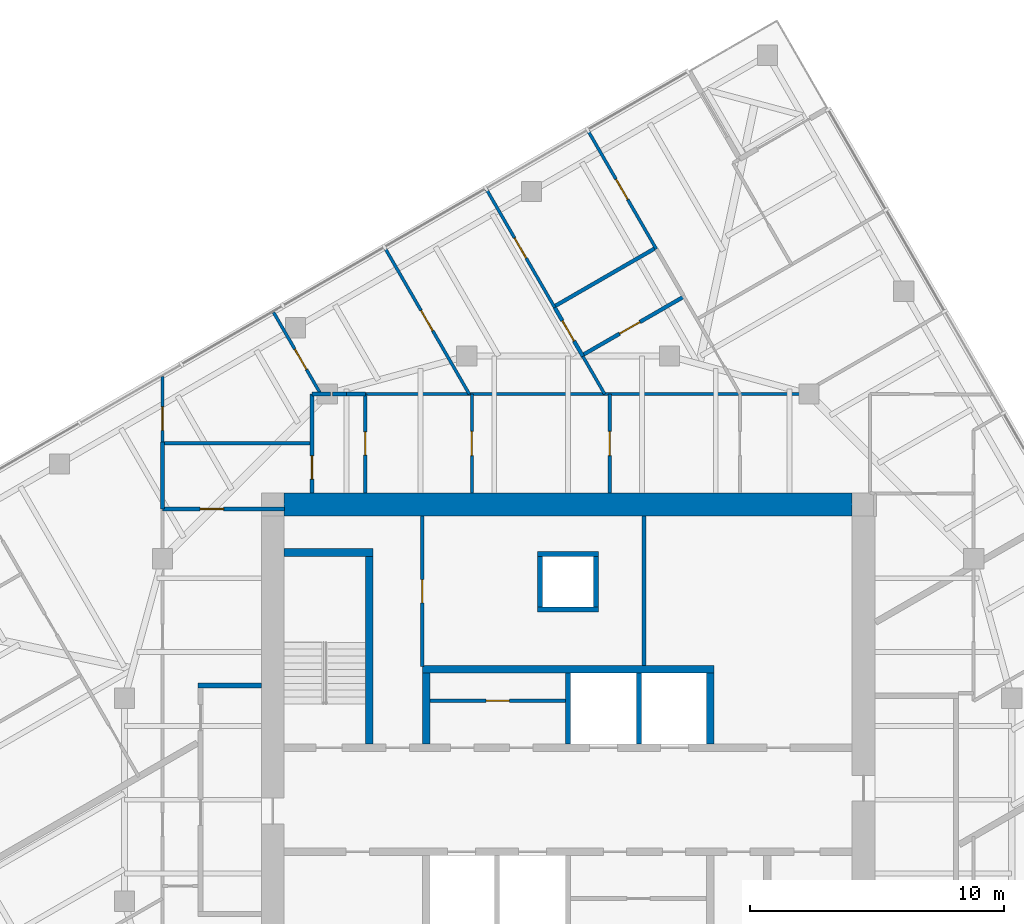
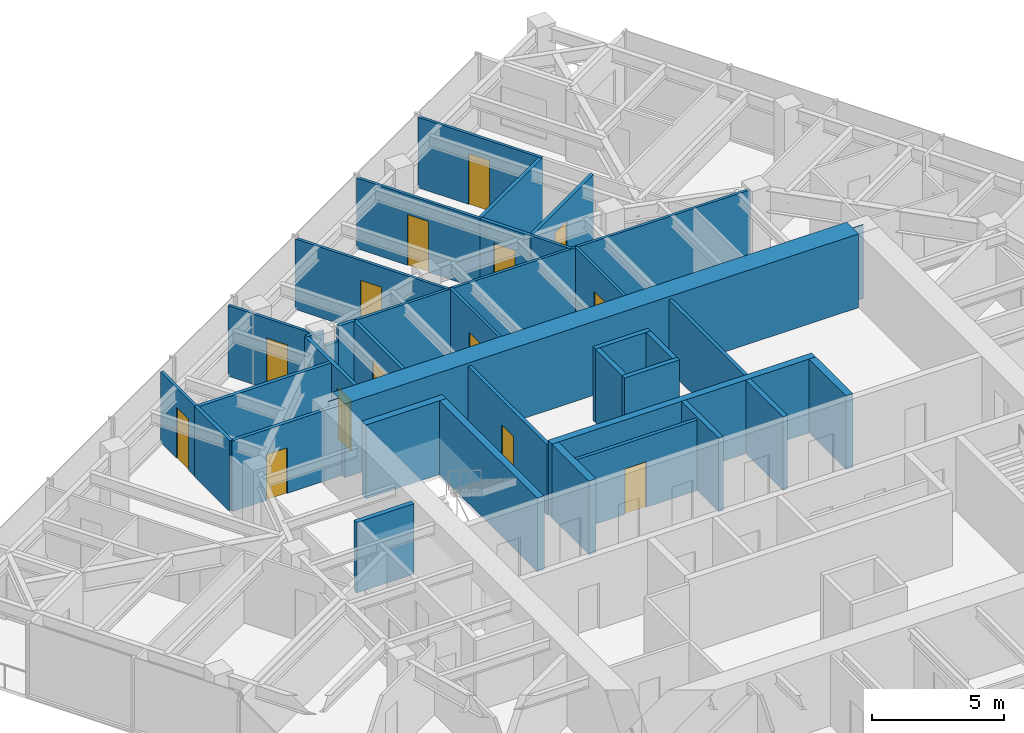
# One storey, part 10 of 12: 36 walls, 14 doors, 14 openings.
"""IFC4 building model written with IfcOpenShell, lengths in metres."""

from ifc_helpers import new_model, si_unit, direction, frame, frame_2d, origin, place, context, subcontext, project, spatial, polyline, rectangle, outline, extrude, material, layer, layer_set, type_object, element, fill, save


model = new_model("IFC4")

# Units and contexts
model_context = context("Model", 3, precision=1e-05, world=origin(), true_north=direction((0.0, 1.0)))
body_context = subcontext(model_context, "Body", "Model", "MODEL_VIEW")
ifc_project = project(units=[si_unit("LENGTHUNIT", "METRE"), si_unit("AREAUNIT", "SQUARE_METRE"), si_unit("VOLUMEUNIT", "CUBIC_METRE"), si_unit("PLANEANGLEUNIT", "RADIAN"), si_unit("MASSUNIT", "GRAM", prefix="KILO")], contexts=[model_context])

# Site, building, storey
site_placement = place(None, origin())
site = spatial("IfcSite", under=ifc_project, at=site_placement, CompositionType="ELEMENT")
building_placement = place(site_placement, origin())
building = spatial("IfcBuilding", under=site, at=building_placement, Name="Torsade Residences", CompositionType="ELEMENT")
storey_placement = place(building_placement, frame((0.0, 0.0, 218.39990234375)))
storey = spatial("IfcBuildingStorey", under=building, at=storey_placement, Name="L60", CompositionType="ELEMENT", Elevation=218.39990234375)

# Walls
ifc_material_1 = material(Name="Concrete 80 MPa", Category="concrete")
ifc_layer_1 = layer(ifc_material_1, 0.300048828125)
ifc_layer_set_1 = layer_set([ifc_layer_1], Name="Concrete 80 MPa")
wall_type_1 = type_object("IfcWallType", Name="CORE INTERNAL WALL 300", PredefinedType="SHEAR", material=ifc_layer_set_1)
wall_1_placement = place(storey_placement, frame((34.25, 35.14990234375, 0.0), z_axis=(0.0, 0.0, 1.0), x_axis=(1.0, 0.0, 0.0)))
element("IfcWall", 1, at=wall_1_placement, inside=storey, type_object=wall_type_1, Name="Core wall BN L60", PredefinedType="SHEAR", context=body_context, shape_type="SweptSolid", body=[
    extrude(rectangle(XDim=11.5, YDim=0.300048828125, at=frame_2d((5.75, 0.0))), origin(), (0.0, 0.0, 1.0), 3.400146484375),
])
for number, where, z_axis, x_axis, name in (
    (2, (34.39990234375, 32.199951171875, 0.0), (0.0, 0.0, 1.0), (0.0, 1.0, 0.0), "Core wall DN0 L60"),
    (3, (45.60009765625, 32.199951171875, 0.0), (0.0, 0.0, 1.0), (0.0, 1.0, 0.0), "Core wall DN4 L60"),
):
    element("IfcWall", number, at=place(storey_placement, frame(where, z_axis=z_axis, x_axis=x_axis)), inside=storey, type_object=wall_type_1, Name=name, PredefinedType="SHEAR", context=body_context, shape_type="SweptSolid", body=[
        extrude(rectangle(XDim=2.800048828125, YDim=0.300048828125, at=frame_2d((1.39990234375, 0.0))), origin(), (0.0, 0.0, 1.0), 3.400146484375),
    ])
wall_2_placement = place(storey_placement, frame((32.14990234375, 32.199951171875, 0.0), z_axis=(0.0, 0.0, 1.0), x_axis=(0.0, 1.0, 0.0)))
element("IfcWall", 4, at=wall_2_placement, inside=storey, type_object=wall_type_1, Name="Core wall ST1E L60", PredefinedType="SHEAR", context=body_context, shape_type="SweptSolid", body=[
    extrude(rectangle(XDim=7.699951171875, YDim=0.300048828125, at=frame_2d((3.85009765625, 0.0))), origin(), (0.0, 0.0, 1.0), 3.400146484375),
])
wall_3_placement = place(storey_placement, frame((28.800048828125, 39.75, 0.0), z_axis=(0.0, 0.0, 1.0), x_axis=(1.0, 0.0, 0.0)))
element("IfcWall", 5, at=wall_3_placement, inside=storey, type_object=wall_type_1, Name="Core wall ST1N L60", PredefinedType="SHEAR", context=body_context, shape_type="SweptSolid", body=[
    extrude(rectangle(XDim=3.5, YDim=0.300048828125, at=frame_2d((1.75, 0.0))), origin(), (0.0, 0.0, 1.0), 3.400146484375),
])
ifc_material_2 = material(Name="Concrete 80 MPa", Category="concrete")
ifc_layer_2 = layer(ifc_material_2, 0.89990234375)
ifc_layer_set_2 = layer_set([ifc_layer_2], Name="Concrete 80 MPa")
wall_type_2 = type_object("IfcWallType", Name="CORE WALL 900", PredefinedType="SHEAR", material=ifc_layer_set_2)
wall_4_placement = place(storey_placement, frame((28.800048828125, 41.64990234375, 0.0), z_axis=(0.0, 0.0, 1.0), x_axis=(1.0, 0.0, 0.0)))
element("IfcWall", 6, at=wall_4_placement, inside=storey, type_object=wall_type_2, Name="Core wall N L60", PredefinedType="SHEAR", context=body_context, shape_type="SweptSolid", body=[
    extrude(outline(polyline([(0.0, -0.449951171875), (22.39990234375, -0.449951171875), (22.39990234375, -0.02490234375), (22.849853515625, -0.02490234375), (22.849853515625, 0.02490234375), (22.39990234375, 0.02490234375), (22.39990234375, 0.449951171875), (0.0, 0.449951171875), (0.0, 0.02490234375), (-0.449951171875, 0.02490234375), (-0.449951171875, -0.02490234375), (0.0, -0.02490234375), (0.0, -0.449951171875)])), origin(), (0.0, 0.0, 1.0), 3.400146484375),
])
ifc_material_3 = material(Name="Plasterboard on steel stud", Category="steel")
ifc_layer_3 = layer(ifc_material_3, 0.199951171875)
ifc_layer_set_3 = layer_set([ifc_layer_3], Name="Plasterboard on steel stud")
wall_type_3 = type_object("IfcWallType", Name="CORRIDOR WALL 200", PredefinedType="PARTITIONING", material=ifc_layer_set_3)
wall_5_placement = place(storey_placement, frame((27.89990234375, 34.5, 0.0), z_axis=(0.0, 0.0, 1.0), x_axis=(-1.0, 0.0, 0.0)))
element("IfcWall", 7, at=wall_5_placement, inside=storey, type_object=wall_type_3, Name="Corridor wall L60", PredefinedType="PARTITIONING", context=body_context, shape_type="SweptSolid", body=[
    extrude(rectangle(XDim=2.5, YDim=0.199951171875, at=frame_2d((1.25, 0.0))), origin(), (0.0, 0.0, 1.0), 3.25),
])
ifc_material_4 = material(Name="Reinforced blockwork", Category="masonry")
ifc_layer_4 = layer(ifc_material_4, 0.199951171875)
ifc_layer_set_4 = layer_set([ifc_layer_4], Name="Reinforced blockwork")
wall_type_4 = type_object("IfcWallType", Name="LIFT SHAFT DIVIDING WALL 200", PredefinedType="SOLIDWALL", material=ifc_layer_set_4)
for number, where, z_axis, x_axis, name in (
    (8, (40.0, 32.199951171875, 0.0), (0.0, 0.0, 1.0), (0.0, 1.0, 0.0), "Core wall DN2 L60"),
    (9, (42.800048828125, 32.199951171875, 0.0), (0.0, 0.0, 1.0), (0.0, 1.0, 0.0), "Core wall DN3 L60"),
):
    element("IfcWall", number, at=place(storey_placement, frame(where, z_axis=z_axis, x_axis=x_axis)), inside=storey, type_object=wall_type_4, Name=name, PredefinedType="SOLIDWALL", context=body_context, shape_type="SweptSolid", body=[
        extrude(rectangle(XDim=2.800048828125, YDim=0.199951171875, at=frame_2d((1.39990234375, 0.0))), origin(), (0.0, 0.0, 1.0), 3.400146484375),
    ])

# Wall, opening, door
ifc_material_5 = material(Name="Plasterboard on steel stud", Category="steel")
ifc_layer_5 = layer(ifc_material_5, 0.1201171875)
ifc_layer_set_5 = layer_set([ifc_layer_5], Name="Plasterboard on steel stud")
wall_type_5 = type_object("IfcWallType", Name="PARTITION 120", PredefinedType="PARTITIONING", material=ifc_layer_set_5)
wall_6_placement = place(storey_placement, frame((24.000244140625, 44.114501953125, 0.0), z_axis=(0.0, 0.0, 1.0), x_axis=(0.003773202081, 0.999992881448, 0.0)))
wall_6 = element("IfcWall", 10, at=wall_6_placement, inside=storey, type_object=wall_type_5, Name="Partition L60", PredefinedType="PARTITIONING", context=body_context, shape_type="SweptSolid", body=[
    extrude(rectangle(XDim=2.588134765625, YDim=0.1201171875, at=frame_2d((1.2939453125, 0.0))), origin(), (0.0, 0.0, 1.0), 3.25),
])
opening_1_placement = place(wall_6_placement, frame((0.457763671875, 0.0, 0.0)))
opening_1 = element("IfcOpeningElement", 11, at=opening_1_placement, cuts=wall_6, Name="Opening D02", PredefinedType="OPENING", context=body_context, shape_type="SweptSolid", body=[
    extrude(rectangle(XDim=0.919921875, YDim=2.340087890625, at=frame_2d((0.4599609375, 1.169921875))), frame((0.0, 0.070068359375, 0.0), z_axis=(0.0, -1.0, 0.0), x_axis=(1.0, 0.0, 0.0)), (0.0, 0.0, 1.0), 0.14013671875),
])
ifc_material_6 = material(Name="Hollow-core timber door", Category="wood")
door_type_1 = type_object("IfcDoorType", Name="INTERNAL DOOR 920x2340", OperationType="NOTDEFINED", PredefinedType="DOOR", material=ifc_material_6)
door_1_placement = place(opening_1_placement, origin())
door_1 = element("IfcDoor", 12, at=door_1_placement, inside=storey, type_object=door_type_1, Name="Door Living room to Scullery", OperationType="SINGLE_SWING_LEFT", OverallHeight=2.340087890625, OverallWidth=0.919921875, PredefinedType="DOOR", context=body_context, shape_type="SweptSolid", body=[
    extrude(rectangle(XDim=0.919921875, YDim=2.340087890625, at=frame_2d((0.4599609375, 1.169921875))), frame((0.0, 0.02490234375, 0.0), z_axis=(0.0, -1.0, 0.0), x_axis=(1.0, 0.0, 0.0)), (0.0, 0.0, 1.0), 0.050048828125),
])
fill(opening_1, door_1)

wall_7_placement = place(storey_placement, frame((28.38037109375, 49.225830078125, 0.0), z_axis=(0.0, 0.0, 1.0), x_axis=(0.499973989716, -0.866040420308, 0.0)))
wall_7 = element("IfcWall", 13, at=wall_7_placement, inside=storey, type_object=wall_type_5, Name="Partition L60", PredefinedType="PARTITIONING", context=body_context, shape_type="SweptSolid", body=[
    extrude(rectangle(XDim=3.724853515625, YDim=0.1201171875, at=frame_2d((1.8623046875, 0.0))), origin(), (0.0, 0.0, 1.0), 3.25),
])
opening_2_placement = place(wall_7_placement, frame((1.682373046875, 0.0, 0.0)))
opening_2 = element("IfcOpeningElement", 14, at=opening_2_placement, cuts=wall_7, Name="Opening D02", PredefinedType="OPENING", context=body_context, shape_type="SweptSolid", body=[
    extrude(rectangle(XDim=0.919921875, YDim=2.340087890625, at=frame_2d((0.4599609375, 1.169921875))), frame((0.0, 0.070068359375, 0.0), z_axis=(0.0, -1.0, 0.0), x_axis=(1.0, 0.0, 0.0)), (0.0, 0.0, 1.0), 0.14013671875),
])
door_2_placement = place(opening_2_placement, origin())
door_2 = element("IfcDoor", 15, at=door_2_placement, inside=storey, type_object=door_type_1, Name="Door Scullery to Media room", OperationType="SINGLE_SWING_LEFT", OverallHeight=2.340087890625, OverallWidth=0.919921875, PredefinedType="DOOR", context=body_context, shape_type="SweptSolid", body=[
    extrude(rectangle(XDim=0.919921875, YDim=2.340087890625, at=frame_2d((0.4599609375, 1.169921875))), frame((0.0, 0.02490234375, 0.0), z_axis=(0.0, -1.0, 0.0), x_axis=(1.0, 0.0, 0.0)), (0.0, 0.0, 1.0), 0.050048828125),
])
fill(opening_2, door_2)

wall_8_placement = place(storey_placement, frame((36.204345703125, 46.0, 0.0), z_axis=(0.0, 0.0, 1.0), x_axis=(0.0, -1.0, 0.0)))
wall_8 = element("IfcWall", 16, at=wall_8_placement, inside=storey, type_object=wall_type_5, Name="Partition L60", PredefinedType="PARTITIONING", context=body_context, shape_type="SweptSolid", body=[
    extrude(rectangle(XDim=3.89990234375, YDim=0.1201171875, at=frame_2d((1.949951171875, 0.0))), origin(), (0.0, 0.0, 1.0), 3.25),
])
opening_3_placement = place(wall_8_placement, frame((1.469970703125, 0.0, 0.0)))
opening_3 = element("IfcOpeningElement", 17, at=opening_3_placement, cuts=wall_8, Name="Opening D05", PredefinedType="OPENING", context=body_context, shape_type="SweptSolid", body=[
    extrude(rectangle(XDim=0.9599609375, YDim=2.10009765625, at=frame_2d((0.47998046875, 1.050048828125))), frame((0.0, 0.070068359375, 0.0), z_axis=(0.0, -1.0, 0.0), x_axis=(1.0, 0.0, 0.0)), (0.0, 0.0, 1.0), 0.14013671875),
])
ifc_material_7 = material(Name="Hollow-core timber door in a steel cavity frame", Category="steel")
door_type_2 = type_object("IfcDoorType", Name="BATHROOM CAVITY SLIDING DOOR 960", OperationType="SLIDING_TO_LEFT", PredefinedType="DOOR", material=ifc_material_7)
door_3_placement = place(opening_3_placement, origin())
door_3 = element("IfcDoor", 18, at=door_3_placement, inside=storey, type_object=door_type_2, Name="Door Pantry to Laundry", OperationType="SLIDING_TO_LEFT", OverallHeight=2.10009765625, OverallWidth=0.9599609375, PredefinedType="DOOR", context=body_context, shape_type="SweptSolid", body=[
    extrude(rectangle(XDim=0.9599609375, YDim=2.10009765625, at=frame_2d((0.47998046875, 1.050048828125))), frame((0.0, 0.02490234375, 0.0), z_axis=(0.0, -1.0, 0.0), x_axis=(1.0, 0.0, 0.0)), (0.0, 0.0, 1.0), 0.050048828125),
])
fill(opening_3, door_3)

# Wall
wall_9_placement = place(storey_placement, frame((31.99951171875, 46.0, 0.0), z_axis=(0.0, 0.0, 1.0), x_axis=(1.0, 0.0, 0.0)))
element("IfcWall", 19, at=wall_9_placement, inside=storey, type_object=wall_type_5, Name="Partition L60", PredefinedType="PARTITIONING", context=body_context, shape_type="SweptSolid", body=[
    extrude(rectangle(XDim=17.21337890625, YDim=0.1201171875, at=frame_2d((8.606689453125, 0.0))), origin(), (0.0, 0.0, 1.0), 3.25),
])

# Wall, opening, door
wall_10_placement = place(storey_placement, frame((41.6435546875, 42.10009765625, 0.0), z_axis=(0.0, 0.0, 1.0), x_axis=(0.0, 1.0, 0.0)))
wall_10 = element("IfcWall", 20, at=wall_10_placement, inside=storey, type_object=wall_type_5, Name="Partition L60", PredefinedType="PARTITIONING", context=body_context, shape_type="SweptSolid", body=[
    extrude(rectangle(XDim=3.89990234375, YDim=0.1201171875, at=frame_2d((1.949951171875, 0.0))), origin(), (0.0, 0.0, 1.0), 3.25),
])
opening_4_placement = place(wall_10_placement, frame((1.469970703125, 0.0, 0.0)))
opening_4 = element("IfcOpeningElement", 21, at=opening_4_placement, cuts=wall_10, Name="Opening D05", PredefinedType="OPENING", context=body_context, shape_type="SweptSolid", body=[
    extrude(rectangle(XDim=0.9599609375, YDim=2.10009765625, at=frame_2d((0.47998046875, 1.050048828125))), frame((0.0, 0.070068359375, 0.0), z_axis=(0.0, -1.0, 0.0), x_axis=(1.0, 0.0, 0.0)), (0.0, 0.0, 1.0), 0.14013671875),
])
door_4_placement = place(opening_4_placement, origin())
door_4 = element("IfcDoor", 22, at=door_4_placement, inside=storey, type_object=door_type_2, Name="Door Laundry to Ensuite", OperationType="SLIDING_TO_LEFT", OverallHeight=2.10009765625, OverallWidth=0.9599609375, PredefinedType="DOOR", context=body_context, shape_type="SweptSolid", body=[
    extrude(rectangle(XDim=0.9599609375, YDim=2.10009765625, at=frame_2d((0.47998046875, 1.050048828125))), frame((0.0, 0.02490234375, 0.0), z_axis=(0.0, -1.0, 0.0), x_axis=(1.0, 0.0, 0.0)), (0.0, 0.0, 1.0), 0.050048828125),
])
fill(opening_4, door_4)

wall_11_placement = place(storey_placement, frame((43.47998046875, 51.722412109375, 0.0), z_axis=(0.0, 0.0, 1.0), x_axis=(-0.499989180974, 0.866031650062, 0.0)))
wall_11 = element("IfcWall", 23, at=wall_11_placement, inside=storey, type_object=wall_type_5, Name="Partition L60", PredefinedType="PARTITIONING", context=body_context, shape_type="SweptSolid", body=[
    extrude(rectangle(XDim=5.3876953125, YDim=0.1201171875, at=frame_2d((2.69384765625, 0.0))), origin(), (0.0, 0.0, 1.0), 3.25),
])
opening_5_placement = place(wall_11_placement, frame((2.25390625, 0.0, 0.0)))
opening_5 = element("IfcOpeningElement", 24, at=opening_5_placement, cuts=wall_11, Name="Opening D02", PredefinedType="OPENING", context=body_context, shape_type="SweptSolid", body=[
    extrude(rectangle(XDim=0.919921875, YDim=2.340087890625, at=frame_2d((0.4599609375, 1.169921875))), frame((0.0, 0.070068359375, 0.0), z_axis=(0.0, -1.0, 0.0), x_axis=(1.0, 0.0, 0.0)), (0.0, 0.0, 1.0), 0.14013671875),
])
door_5_placement = place(opening_5_placement, origin())
door_5 = element("IfcDoor", 25, at=door_5_placement, inside=storey, type_object=door_type_1, Name="Door Family room to Bedroom 2", OperationType="SINGLE_SWING_LEFT", OverallHeight=2.340087890625, OverallWidth=0.919921875, PredefinedType="DOOR", context=body_context, shape_type="SweptSolid", body=[
    extrude(rectangle(XDim=0.919921875, YDim=2.340087890625, at=frame_2d((0.4599609375, 1.169921875))), frame((0.0, 0.02490234375, 0.0), z_axis=(0.0, -1.0, 0.0), x_axis=(1.0, 0.0, 0.0)), (0.0, 0.0, 1.0), 0.050048828125),
])
fill(opening_5, door_5)

wall_12_placement = place(storey_placement, frame((36.78076171875, 54.075927734375, 0.0), z_axis=(0.0, 0.0, 1.0), x_axis=(0.499989180974, -0.866031650062, 0.0)))
wall_12 = element("IfcWall", 26, at=wall_12_placement, inside=storey, type_object=wall_type_5, Name="Partition L60", PredefinedType="PARTITIONING", context=body_context, shape_type="SweptSolid", body=[
    extrude(rectangle(XDim=5.3876953125, YDim=0.1201171875, at=frame_2d((2.69384765625, 0.0))), origin(), (0.0, 0.0, 1.0), 3.25),
])
opening_6_placement = place(wall_12_placement, frame((2.214111328125, 0.0, 0.0)))
opening_6 = element("IfcOpeningElement", 27, at=opening_6_placement, cuts=wall_12, Name="Opening D02", PredefinedType="OPENING", context=body_context, shape_type="SweptSolid", body=[
    extrude(rectangle(XDim=0.919921875, YDim=2.340087890625, at=frame_2d((0.4599609375, 1.169921875))), frame((0.0, 0.070068359375, 0.0), z_axis=(0.0, -1.0, 0.0), x_axis=(1.0, 0.0, 0.0)), (0.0, 0.0, 1.0), 0.14013671875),
])
door_6_placement = place(opening_6_placement, origin())
door_6 = element("IfcDoor", 28, at=door_6_placement, inside=storey, type_object=door_type_1, Name="Door Study to Family room", OperationType="SINGLE_SWING_RIGHT", OverallHeight=2.340087890625, OverallWidth=0.919921875, PredefinedType="DOOR", context=body_context, shape_type="SweptSolid", body=[
    extrude(rectangle(XDim=0.919921875, YDim=2.340087890625, at=frame_2d((0.4599609375, 1.169921875))), frame((0.0, 0.02490234375, 0.0), z_axis=(0.0, -1.0, 0.0), x_axis=(1.0, 0.0, 0.0)), (0.0, 0.0, 1.0), 0.050048828125),
])
fill(opening_6, door_6)

wall_13_placement = place(storey_placement, frame((36.10302734375, 46.0, 0.0), z_axis=(0.0, 0.0, 1.0), x_axis=(-0.500013541994, 0.866017585169, 0.0)))
wall_13 = element("IfcWall", 29, at=wall_13_placement, inside=storey, type_object=wall_type_5, Name="Partition L60", PredefinedType="PARTITIONING", context=body_context, shape_type="SweptSolid", body=[
    extrude(rectangle(XDim=6.655029296875, YDim=0.1201171875, at=frame_2d((3.32763671875, 0.0))), origin(), (0.0, 0.0, 1.0), 3.25),
])
opening_7_placement = place(wall_13_placement, frame((2.887451171875, 0.0, 0.0)))
opening_7 = element("IfcOpeningElement", 30, at=opening_7_placement, cuts=wall_13, Name="Opening D02", PredefinedType="OPENING", context=body_context, shape_type="SweptSolid", body=[
    extrude(rectangle(XDim=0.919921875, YDim=2.340087890625, at=frame_2d((0.4599609375, 1.169921875))), frame((0.0, 0.070068359375, 0.0), z_axis=(0.0, -1.0, 0.0), x_axis=(1.0, 0.0, 0.0)), (0.0, 0.0, 1.0), 0.14013671875),
])
door_7_placement = place(opening_7_placement, origin())
door_7 = element("IfcDoor", 31, at=door_7_placement, inside=storey, type_object=door_type_1, Name="Door Media room to Study", OperationType="SINGLE_SWING_LEFT", OverallHeight=2.340087890625, OverallWidth=0.919921875, PredefinedType="DOOR", context=body_context, shape_type="SweptSolid", body=[
    extrude(rectangle(XDim=0.919921875, YDim=2.340087890625, at=frame_2d((0.4599609375, 1.169921875))), frame((0.0, 0.02490234375, 0.0), z_axis=(0.0, -1.0, 0.0), x_axis=(1.0, 0.0, 0.0)), (0.0, 0.0, 1.0), 0.050048828125),
])
fill(opening_7, door_7)

# Walls
wall_14_placement = place(storey_placement, frame((40.584228515625, 47.488037109375, 0.0), z_axis=(0.0, 0.0, 1.0), x_axis=(0.500005339912, -0.866022320763, 0.0)))
element("IfcWall", 32, at=wall_14_placement, inside=storey, type_object=wall_type_5, Name="Partition L60", PredefinedType="PARTITIONING", context=body_context, shape_type="SweptSolid", body=[
    extrude(rectangle(XDim=1.71826171875, YDim=0.1201171875, at=frame_2d((0.859130859375, 0.0))), origin(), (0.0, 0.0, 1.0), 3.25),
])
ifc_material_8 = material(Name="Reinforced blockwork", Category="masonry")
ifc_layer_6 = layer(ifc_material_8, 0.199951171875)
ifc_layer_set_6 = layer_set([ifc_layer_6], Name="Reinforced blockwork")
wall_type_6 = type_object("IfcWallType", Name="RISER SHAFT WALL 200", PredefinedType="SOLIDWALL", material=ifc_layer_set_6)
for number, where, z_axis, x_axis, name in (
    (33, (38.89990234375, 37.60009765625, 0.0), (0.0, 0.0, 1.0), (0.0, 1.0, 0.0), "Core wall RS1a L60"),
    (34, (41.10009765625, 37.60009765625, 0.0), (0.0, 0.0, 1.0), (0.0, 1.0, 0.0), "Core wall RS1b L60"),
):
    element("IfcWall", number, at=place(storey_placement, frame(where, z_axis=z_axis, x_axis=x_axis)), inside=storey, type_object=wall_type_6, Name=name, PredefinedType="SOLIDWALL", context=body_context, shape_type="SweptSolid", body=[
        extrude(rectangle(XDim=2.0, YDim=0.199951171875, at=frame_2d((1.0, 0.0))), origin(), (0.0, 0.0, 1.0), 3.400146484375),
    ])
for number, where, z_axis, x_axis, name in (
    (35, (38.800048828125, 37.5, 0.0), (0.0, 0.0, 1.0), (1.0, 0.0, 0.0), "Core wall RS1c L60"),
    (36, (38.800048828125, 39.699951171875, 0.0), (0.0, 0.0, 1.0), (1.0, 0.0, 0.0), "Core wall RS1d L60"),
):
    element("IfcWall", number, at=place(storey_placement, frame(where, z_axis=z_axis, x_axis=x_axis)), inside=storey, type_object=wall_type_6, Name=name, PredefinedType="SOLIDWALL", context=body_context, shape_type="SweptSolid", body=[
        extrude(rectangle(XDim=2.39990234375, YDim=0.199951171875, at=frame_2d((1.199951171875, 0.0))), origin(), (0.0, 0.0, 1.0), 3.400146484375),
    ])

# Wall, opening, door
ifc_material_9 = material(Name="Reinforced blockwork", Category="masonry")
ifc_layer_7 = layer(ifc_material_9, 0.14990234375)
ifc_layer_set_7 = layer_set([ifc_layer_7], Name="Reinforced blockwork")
wall_type_7 = type_object("IfcWallType", Name="SERVICE ROOM WALL 150", PredefinedType="SOLIDWALL", material=ifc_layer_set_7)
wall_15_placement = place(storey_placement, frame((34.25, 41.199951171875, 0.0), z_axis=(0.0, 0.0, 1.0), x_axis=(0.0, -1.0, 0.0)))
wall_15 = element("IfcWall", 37, at=wall_15_placement, inside=storey, type_object=wall_type_7, Name="Service room wall L60", PredefinedType="SOLIDWALL", context=body_context, shape_type="SweptSolid", body=[
    extrude(rectangle(XDim=5.949951171875, YDim=0.14990234375, at=frame_2d((2.97509765625, 0.0))), origin(), (0.0, 0.0, 1.0), 3.25),
])
opening_8_placement = place(wall_15_placement, frame((2.514892578125, 0.0, 0.0)))
opening_8 = element("IfcOpeningElement", 38, at=opening_8_placement, cuts=wall_15, Name="Opening D06", PredefinedType="OPENING", context=body_context, shape_type="SweptSolid", body=[
    extrude(rectangle(XDim=0.919921875, YDim=2.10009765625, at=frame_2d((0.4599609375, 1.050048828125))), frame((0.0, 0.0849609375, 0.0), z_axis=(0.0, -1.0, 0.0), x_axis=(1.0, 0.0, 0.0)), (0.0, 0.0, 1.0), 0.169921875),
])
ifc_material_10 = material(Name="Steel-framed fire door", Category="steel")
door_type_3 = type_object("IfcDoorType", Name="FIRE DOOR 920", OperationType="NOTDEFINED", PredefinedType="DOOR", material=ifc_material_10)
door_8_placement = place(opening_8_placement, origin())
door_8 = element("IfcDoor", 39, at=door_8_placement, inside=storey, type_object=door_type_3, Name="Door Meter store to Electrical riser room", OperationType="SINGLE_SWING_LEFT", OverallHeight=2.10009765625, OverallWidth=0.919921875, PredefinedType="DOOR", context=body_context, shape_type="SweptSolid", body=[
    extrude(rectangle(XDim=0.919921875, YDim=2.10009765625, at=frame_2d((0.4599609375, 1.050048828125))), frame((0.0, 0.02490234375, 0.0), z_axis=(0.0, -1.0, 0.0), x_axis=(1.0, 0.0, 0.0)), (0.0, 0.0, 1.0), 0.050048828125),
])
fill(opening_8, door_8)

# Wall
wall_16_placement = place(storey_placement, frame((43.0, 41.199951171875, 0.0), z_axis=(0.0, 0.0, 1.0), x_axis=(0.0, -1.0, 0.0)))
element("IfcWall", 40, at=wall_16_placement, inside=storey, type_object=wall_type_7, Name="Service room wall L60", PredefinedType="SOLIDWALL", context=body_context, shape_type="SweptSolid", body=[
    extrude(rectangle(XDim=5.89990234375, YDim=0.14990234375, at=frame_2d((2.949951171875, 0.0))), origin(), (0.0, 0.0, 1.0), 3.25),
])

# Wall, opening, door
wall_17_placement = place(storey_placement, frame((24.0, 41.466552734375, 0.0), z_axis=(0.0, 0.0, 1.0), x_axis=(1.0, 0.0, 0.0)))
wall_17 = element("IfcWall", 41, at=wall_17_placement, inside=storey, type_object=wall_type_7, Name="Service room wall L60", PredefinedType="SOLIDWALL", context=body_context, shape_type="SweptSolid", body=[
    extrude(rectangle(XDim=4.820068359375, YDim=0.14990234375, at=frame_2d((2.41015625, 0.0))), origin(), (0.0, 0.0, 1.0), 3.25),
])
opening_9_placement = place(wall_17_placement, frame((1.489990234375, 0.0, 0.0)))
opening_9 = element("IfcOpeningElement", 42, at=opening_9_placement, cuts=wall_17, Name="Opening D02L", PredefinedType="OPENING", context=body_context, shape_type="SweptSolid", body=[
    extrude(rectangle(XDim=0.919921875, YDim=2.10009765625, at=frame_2d((0.4599609375, 1.050048828125))), frame((0.0, 0.0849609375, 0.0), z_axis=(0.0, -1.0, 0.0), x_axis=(1.0, 0.0, 0.0)), (0.0, 0.0, 1.0), 0.169921875),
])
ifc_material_11 = material(Name="Hollow-core timber door", Category="wood")
door_type_4 = type_object("IfcDoorType", Name="INTERNAL DOOR 920x2100", OperationType="NOTDEFINED", PredefinedType="DOOR", material=ifc_material_11)
door_9_placement = place(opening_9_placement, origin())
door_9 = element("IfcDoor", 43, at=door_9_placement, inside=storey, type_object=door_type_4, Name="Door Kitchen and dining to Linen store 3", OperationType="SINGLE_SWING_LEFT", OverallHeight=2.10009765625, OverallWidth=0.919921875, PredefinedType="DOOR", context=body_context, shape_type="SweptSolid", body=[
    extrude(rectangle(XDim=0.919921875, YDim=2.10009765625, at=frame_2d((0.4599609375, 1.050048828125))), frame((0.0, 0.02490234375, 0.0), z_axis=(0.0, -1.0, 0.0), x_axis=(1.0, 0.0, 0.0)), (0.0, 0.0, 1.0), 0.050048828125),
])
fill(opening_9, door_9)

# Wall
wall_18_placement = place(storey_placement, frame((30.632568359375, 46.0, 0.0), z_axis=(0.0, 0.0, 1.0), x_axis=(-1.0, 0.0, 0.0)))
element("IfcWall", 44, at=wall_18_placement, inside=storey, type_object=wall_type_7, Name="Service room wall L60", PredefinedType="SOLIDWALL", context=body_context, shape_type="SweptSolid", body=[
    extrude(rectangle(XDim=0.7353515625, YDim=0.14990234375, at=frame_2d((0.36767578125, 0.0))), origin(), (0.0, 0.0, 1.0), 3.25),
])

# Wall, opening, door
wall_19_placement = place(storey_placement, frame((29.897216796875, 46.0, 0.0), z_axis=(0.0, 0.0, 1.0), x_axis=(0.0, -1.0, 0.0)))
wall_19 = element("IfcWall", 45, at=wall_19_placement, inside=storey, type_object=wall_type_7, Name="Service room wall L60", PredefinedType="SOLIDWALL", context=body_context, shape_type="SweptSolid", body=[
    extrude(rectangle(XDim=3.89990234375, YDim=0.14990234375, at=frame_2d((1.949951171875, 0.0))), origin(), (0.0, 0.0, 1.0), 3.25),
])
opening_10_placement = place(wall_19_placement, frame((2.4326171875, 0.0, 0.0)))
opening_10 = element("IfcOpeningElement", 46, at=opening_10_placement, cuts=wall_19, Name="Opening D02", PredefinedType="OPENING", context=body_context, shape_type="SweptSolid", body=[
    extrude(rectangle(XDim=0.919921875, YDim=2.340087890625, at=frame_2d((0.4599609375, 1.169921875))), frame((0.0, 0.0849609375, 0.0), z_axis=(0.0, -1.0, 0.0), x_axis=(1.0, 0.0, 0.0)), (0.0, 0.0, 1.0), 0.169921875),
])
door_10_placement = place(opening_10_placement, origin())
door_10 = element("IfcDoor", 47, at=door_10_placement, inside=storey, type_object=door_type_1, Name="Door Linen store 3 to Linen store 2", OperationType="SINGLE_SWING_RIGHT", OverallHeight=2.340087890625, OverallWidth=0.919921875, PredefinedType="DOOR", context=body_context, shape_type="SweptSolid", body=[
    extrude(rectangle(XDim=0.919921875, YDim=2.340087890625, at=frame_2d((0.4599609375, 1.169921875))), frame((0.0, 0.02490234375, 0.0), z_axis=(0.0, -1.0, 0.0), x_axis=(1.0, 0.0, 0.0)), (0.0, 0.0, 1.0), 0.050048828125),
])
fill(opening_10, door_10)

# Wall
wall_20_placement = place(storey_placement, frame((29.897216796875, 44.064697265625, 0.0), z_axis=(0.0, 0.0, 1.0), x_axis=(-1.0, 0.0, 0.0)))
element("IfcWall", 48, at=wall_20_placement, inside=storey, type_object=wall_type_7, Name="Service room wall L60", PredefinedType="SOLIDWALL", context=body_context, shape_type="SweptSolid", body=[
    extrude(rectangle(XDim=5.897216796875, YDim=0.14990234375, at=frame_2d((2.94873046875, 0.0))), origin(), (0.0, 0.0, 1.0), 3.25),
])

# Wall, opening, door
wall_21_placement = place(storey_placement, frame((31.99951171875, 42.10009765625, 0.0), z_axis=(0.0, 0.0, 1.0), x_axis=(0.0, 1.0, 0.0)))
wall_21 = element("IfcWall", 49, at=wall_21_placement, inside=storey, type_object=wall_type_7, Name="Service room wall L60", PredefinedType="SOLIDWALL", context=body_context, shape_type="SweptSolid", body=[
    extrude(rectangle(XDim=3.89990234375, YDim=0.14990234375, at=frame_2d((1.949951171875, 0.0))), origin(), (0.0, 0.0, 1.0), 3.25),
])
opening_11_placement = place(wall_21_placement, frame((1.489990234375, 0.0, 0.0)))
opening_11 = element("IfcOpeningElement", 50, at=opening_11_placement, cuts=wall_21, Name="Opening D02", PredefinedType="OPENING", context=body_context, shape_type="SweptSolid", body=[
    extrude(rectangle(XDim=0.919921875, YDim=2.340087890625, at=frame_2d((0.4599609375, 1.169921875))), frame((0.0, 0.0849609375, 0.0), z_axis=(0.0, -1.0, 0.0), x_axis=(1.0, 0.0, 0.0)), (0.0, 0.0, 1.0), 0.169921875),
])
door_11_placement = place(opening_11_placement, origin())
door_11 = element("IfcDoor", 51, at=door_11_placement, inside=storey, type_object=door_type_1, Name="Door Linen store 2 to Pantry", OperationType="SINGLE_SWING_RIGHT", OverallHeight=2.340087890625, OverallWidth=0.919921875, PredefinedType="DOOR", context=body_context, shape_type="SweptSolid", body=[
    extrude(rectangle(XDim=0.919921875, YDim=2.340087890625, at=frame_2d((0.4599609375, 1.169921875))), frame((0.0, 0.02490234375, 0.0), z_axis=(0.0, -1.0, 0.0), x_axis=(1.0, 0.0, 0.0)), (0.0, 0.0, 1.0), 0.050048828125),
])
fill(opening_11, door_11)

# Wall
wall_22_placement = place(storey_placement, frame((24.0, 44.114501953125, 0.0), z_axis=(0.0, 0.0, 1.0), x_axis=(0.0, -1.0, 0.0)))
element("IfcWall", 52, at=wall_22_placement, inside=storey, type_object=wall_type_7, Name="Service room wall L60", PredefinedType="SOLIDWALL", context=body_context, shape_type="SweptSolid", body=[
    extrude(rectangle(XDim=2.64794921875, YDim=0.14990234375, at=frame_2d((1.323974609375, 0.0))), origin(), (0.0, 0.0, 1.0), 3.25),
])

# Wall, opening, door
wall_23_placement = place(storey_placement, frame((39.474609375, 49.409912109375, 0.0), z_axis=(0.0, 0.0, 1.0), x_axis=(0.500008142102, -0.866020702889, 0.0)))
wall_23 = element("IfcWall", 53, at=wall_23_placement, inside=storey, type_object=wall_type_7, Name="Service room wall L60", PredefinedType="SOLIDWALL", context=body_context, shape_type="SweptSolid", body=[
    extrude(rectangle(XDim=2.21923828125, YDim=0.14990234375, at=frame_2d((1.109619140625, 0.0))), origin(), (0.0, 0.0, 1.0), 3.25),
])
opening_12_placement = place(wall_23_placement, frame((0.599609375, 0.0, 0.0)))
opening_12 = element("IfcOpeningElement", 54, at=opening_12_placement, cuts=wall_23, Name="Opening D02", PredefinedType="OPENING", context=body_context, shape_type="SweptSolid", body=[
    extrude(rectangle(XDim=0.919921875, YDim=2.340087890625, at=frame_2d((0.4599609375, 1.169921875))), frame((0.0, 0.0849609375, 0.0), z_axis=(0.0, -1.0, 0.0), x_axis=(1.0, 0.0, 0.0)), (0.0, 0.0, 1.0), 0.169921875),
])
door_12_placement = place(opening_12_placement, origin())
door_12 = element("IfcDoor", 55, at=door_12_placement, inside=storey, type_object=door_type_1, Name="Door Study to Linen store", OperationType="SINGLE_SWING_LEFT", OverallHeight=2.340087890625, OverallWidth=0.919921875, PredefinedType="DOOR", context=body_context, shape_type="SweptSolid", body=[
    extrude(rectangle(XDim=0.919921875, YDim=2.340087890625, at=frame_2d((0.4599609375, 1.169921875))), frame((0.0, 0.02490234375, 0.0), z_axis=(0.0, -1.0, 0.0), x_axis=(1.0, 0.0, 0.0)), (0.0, 0.0, 1.0), 0.050048828125),
])
fill(opening_12, door_12)

# Walls
wall_24_placement = place(storey_placement, frame((43.455078125, 51.765625, 0.0), z_axis=(0.0, 0.0, 1.0), x_axis=(-0.866025598446, -0.499999662836, 0.0)))
element("IfcWall", 56, at=wall_24_placement, inside=storey, type_object=wall_type_7, Name="Service room wall L60", PredefinedType="SOLIDWALL", context=body_context, shape_type="SweptSolid", body=[
    extrude(rectangle(XDim=4.625, YDim=0.14990234375, at=frame_2d((2.3125, 0.0))), origin(), (0.0, 0.0, 1.0), 3.25),
])
wall_25_placement = place(storey_placement, frame((31.99951171875, 46.0, 0.0), z_axis=(0.0, 0.0, 1.0), x_axis=(-1.0, 0.0, 0.0)))
element("IfcWall", 57, at=wall_25_placement, inside=storey, type_object=wall_type_7, Name="Service room wall L60", PredefinedType="SOLIDWALL", context=body_context, shape_type="SweptSolid", body=[
    extrude(rectangle(XDim=0.74951171875, YDim=0.14990234375, at=frame_2d((0.374755859375, 0.0))), origin(), (0.0, 0.0, 1.0), 3.25),
])
wall_26_placement = place(storey_placement, frame((31.25, 46.0, 0.0), z_axis=(0.0, 0.0, 1.0), x_axis=(-1.0, 0.0, 0.0)))
element("IfcWall", 58, at=wall_26_placement, inside=storey, type_object=wall_type_7, Name="Service room wall L60", PredefinedType="SOLIDWALL", context=body_context, shape_type="SweptSolid", body=[
    extrude(rectangle(XDim=0.54541015625, YDim=0.14990234375, at=frame_2d((0.272705078125, 0.0))), origin(), (0.0, 0.0, 1.0), 2.550048828125),
])

# Wall, opening, door
wall_27_placement = place(storey_placement, frame((40.559326171875, 47.53125, 0.0), z_axis=(0.0, 0.0, 1.0), x_axis=(0.866025598446, 0.499999662836, 0.0)))
wall_27 = element("IfcWall", 59, at=wall_27_placement, inside=storey, type_object=wall_type_7, Name="Service room wall L60", PredefinedType="SOLIDWALL", context=body_context, shape_type="SweptSolid", body=[
    extrude(rectangle(XDim=4.625, YDim=0.14990234375, at=frame_2d((2.3125, 0.0))), origin(), (0.0, 0.0, 1.0), 3.25),
])
opening_13_placement = place(wall_27_placement, frame((1.702392578125, 0.0, 0.0)))
opening_13 = element("IfcOpeningElement", 60, at=opening_13_placement, cuts=wall_27, Name="Opening D02", PredefinedType="OPENING", context=body_context, shape_type="SweptSolid", body=[
    extrude(rectangle(XDim=0.919921875, YDim=2.340087890625, at=frame_2d((0.4599609375, 1.169921875))), frame((0.0, 0.0849609375, 0.0), z_axis=(0.0, -1.0, 0.0), x_axis=(1.0, 0.0, 0.0)), (0.0, 0.0, 1.0), 0.169921875),
])
door_13_placement = place(opening_13_placement, origin())
door_13 = element("IfcDoor", 61, at=door_13_placement, inside=storey, type_object=door_type_1, Name="Door Linen store to Walk-in robe", OperationType="SINGLE_SWING_LEFT", OverallHeight=2.340087890625, OverallWidth=0.919921875, PredefinedType="DOOR", context=body_context, shape_type="SweptSolid", body=[
    extrude(rectangle(XDim=0.919921875, YDim=2.340087890625, at=frame_2d((0.4599609375, 1.169921875))), frame((0.0, 0.02490234375, 0.0), z_axis=(0.0, -1.0, 0.0), x_axis=(1.0, 0.0, 0.0)), (0.0, 0.0, 1.0), 0.050048828125),
])
fill(opening_13, door_13)

wall_28_placement = place(storey_placement, frame((34.550048828125, 33.89990234375, 0.0), z_axis=(0.0, 0.0, 1.0), x_axis=(1.0, 0.0, 0.0)))
wall_28 = element("IfcWall", 62, at=wall_28_placement, inside=storey, type_object=wall_type_7, Name="Service room wall L60", PredefinedType="SOLIDWALL", context=body_context, shape_type="SweptSolid", body=[
    extrude(rectangle(XDim=5.349853515625, YDim=0.14990234375, at=frame_2d((2.6748046875, 0.0))), origin(), (0.0, 0.0, 1.0), 3.25),
])
opening_14_placement = place(wall_28_placement, frame((2.215087890625, 0.0, 0.0)))
opening_14 = element("IfcOpeningElement", 63, at=opening_14_placement, cuts=wall_28, Name="Opening D06", PredefinedType="OPENING", context=body_context, shape_type="SweptSolid", body=[
    extrude(rectangle(XDim=0.919921875, YDim=2.10009765625, at=frame_2d((0.4599609375, 1.050048828125))), frame((0.0, 0.0849609375, 0.0), z_axis=(0.0, -1.0, 0.0), x_axis=(1.0, 0.0, 0.0)), (0.0, 0.0, 1.0), 0.169921875),
])
door_14_placement = place(opening_14_placement, origin())
door_14 = element("IfcDoor", 64, at=door_14_placement, inside=storey, type_object=door_type_3, Name="Door Linen store L60A to Equipment store L60B", OperationType="SINGLE_SWING_RIGHT", OverallHeight=2.10009765625, OverallWidth=0.919921875, PredefinedType="DOOR", context=body_context, shape_type="SweptSolid", body=[
    extrude(rectangle(XDim=0.919921875, YDim=2.10009765625, at=frame_2d((0.4599609375, 1.050048828125))), frame((0.0, 0.02490234375, 0.0), z_axis=(0.0, -1.0, 0.0), x_axis=(1.0, 0.0, 0.0)), (0.0, 0.0, 1.0), 0.050048828125),
])
fill(opening_14, door_14)

save(model, "model.ifc")
